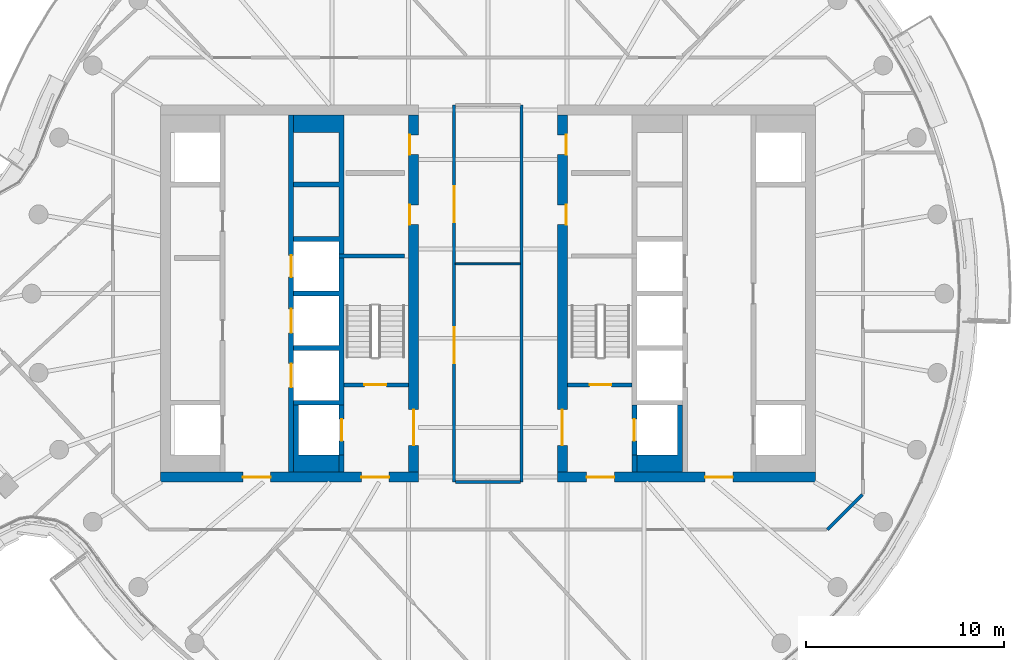
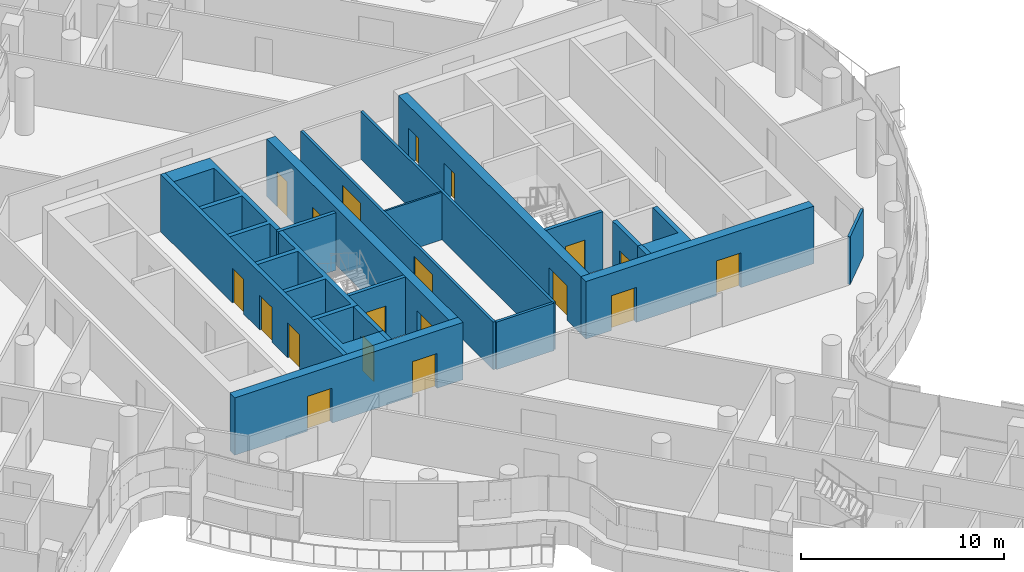
# One storey, part 23 of 34: 20 walls, 19 doors, 19 openings.
"""IFC4 building model written with IfcOpenShell, lengths in metres."""

from ifc_helpers import new_model, si_unit, direction, frame, frame_2d, origin, place, context, subcontext, project, spatial, polyline, rectangle, outline, extrude, material, layer, layer_set, type_object, element, fill, save


model = new_model("IFC4")

# Units and contexts
model_context = context("Model", 3, precision=1e-05, world=origin(), true_north=direction((0.0, 1.0)))
body_context = subcontext(model_context, "Body", "Model", "MODEL_VIEW")
ifc_project = project(units=[si_unit("LENGTHUNIT", "METRE"), si_unit("AREAUNIT", "SQUARE_METRE"), si_unit("VOLUMEUNIT", "CUBIC_METRE"), si_unit("PLANEANGLEUNIT", "RADIAN"), si_unit("MASSUNIT", "GRAM", prefix="KILO")], contexts=[model_context])

# Site, building, storey
site_placement = place(None, origin())
site = spatial("IfcSite", under=ifc_project, at=site_placement, CompositionType="ELEMENT")
building_placement = place(site_placement, origin())
building = spatial("IfcBuilding", under=site, at=building_placement, Name="Tamarind Cross Interchange Tower", CompositionType="ELEMENT")
storey_placement = place(building_placement, frame((0.0, 0.0, 189.699951171875)))
storey = spatial("IfcBuildingStorey", under=building, at=storey_placement, Name="L47", CompositionType="ELEMENT", Elevation=189.699951171875)

# Wall, openings, doors
ifc_material_1 = material(Name="Concrete C55", Category="concrete")
ifc_layer_1 = layer(ifc_material_1, 0.5)
ifc_layer_set_1 = layer_set([ifc_layer_1], Name="Concrete C55")
wall_type_1 = type_object("IfcWallType", Name="Core wall 500 mm Concrete C55", PredefinedType="SHEAR", material=ifc_layer_set_1)
wall_1_placement = place(storey_placement, frame((-16.5, -9.25, 0.0), z_axis=(0.0, 0.0, 1.0), x_axis=(1.0, 0.0, 0.0)))
wall_1 = element("IfcWall", 1, at=wall_1_placement, inside=storey, type_object=wall_type_1, Name="Core wall CWL-L47-W-S", PredefinedType="SHEAR", context=body_context, shape_type="SweptSolid", body=[
    extrude(rectangle(XDim=13.0, YDim=0.5, at=frame_2d((6.5, 0.0))), origin(), (0.0, 0.0, 1.0), 3.4599609375),
])
opening_1_placement = place(wall_1_placement, frame((4.14990234375, 0.0, 0.0)))
opening_1 = element("IfcOpeningElement", 2, at=opening_1_placement, cuts=wall_1, Name="Opening DCW1", PredefinedType="OPENING", context=body_context, shape_type="SweptSolid", body=[
    extrude(rectangle(XDim=1.39990234375, YDim=2.10009765625, at=frame_2d((0.699951171875, 1.050048828125))), frame((0.0, 0.260009765625, 0.0), z_axis=(0.0, -1.0, 0.0), x_axis=(1.0, 0.0, 0.0)), (0.0, 0.0, 1.0), 0.52001953125),
])
opening_2_placement = place(wall_1_placement, frame((10.125, 0.0, 0.0)))
opening_2 = element("IfcOpeningElement", 3, at=opening_2_placement, cuts=wall_1, Name="Opening DCWF", PredefinedType="OPENING", context=body_context, shape_type="SweptSolid", body=[
    extrude(rectangle(XDim=1.39990234375, YDim=2.10009765625, at=frame_2d((0.699951171875, 1.050048828125))), frame((0.0, 0.260009765625, 0.0), z_axis=(0.0, -1.0, 0.0), x_axis=(1.0, 0.0, 0.0)), (0.0, 0.0, 1.0), 0.52001953125),
])
ifc_material_2 = material(Name="Steel, fire-resisting", Category="steel")
door_type_1 = type_object("IfcDoorType", Name="Core fire door 1400 x 2100 FD90", OperationType="SINGLE_SWING_LEFT", PredefinedType="DOOR", material=ifc_material_2)
door_1_placement = place(opening_1_placement, origin())
door_1 = element("IfcDoor", 4, at=door_1_placement, inside=storey, type_object=door_type_1, Name="L47 lift lobby door", OperationType="SINGLE_SWING_LEFT", OverallHeight=2.10009765625, OverallWidth=1.39990234375, PredefinedType="DOOR", context=body_context, shape_type="SweptSolid", body=[
    extrude(rectangle(XDim=1.39990234375, YDim=2.10009765625, at=frame_2d((0.699951171875, 1.050048828125))), frame((0.0, 0.02490234375, 0.0), z_axis=(0.0, -1.0, 0.0), x_axis=(1.0, 0.0, 0.0)), (0.0, 0.0, 1.0), 0.050048828125),
])
fill(opening_1, door_1)
door_2_placement = place(opening_2_placement, origin())
door_2 = element("IfcDoor", 5, at=door_2_placement, inside=storey, type_object=door_type_1, Name="L47 firefighting lobby end door", OperationType="SINGLE_SWING_LEFT", OverallHeight=2.10009765625, OverallWidth=1.39990234375, PredefinedType="DOOR", context=body_context, shape_type="SweptSolid", body=[
    extrude(rectangle(XDim=1.39990234375, YDim=2.10009765625, at=frame_2d((0.699951171875, 1.050048828125))), frame((0.0, 0.02490234375, 0.0), z_axis=(0.0, -1.0, 0.0), x_axis=(1.0, 0.0, 0.0)), (0.0, 0.0, 1.0), 0.050048828125),
])
fill(opening_2, door_2)

wall_2_placement = place(storey_placement, frame((-3.75, -9.0, 0.0), z_axis=(0.0, 0.0, 1.0), x_axis=(0.0, 1.0, 0.0)))
wall_2 = element("IfcWall", 6, at=wall_2_placement, inside=storey, type_object=wall_type_1, Name="Core wall CWL-L47-W-IN", PredefinedType="SHEAR", context=body_context, shape_type="SweptSolid", body=[
    extrude(rectangle(XDim=18.0, YDim=0.5, at=frame_2d((9.0, 0.0))), origin(), (0.0, 0.0, 1.0), 3.4599609375),
])
opening_3_placement = place(wall_2_placement, frame((1.35009765625, 0.0, 0.0)))
opening_3 = element("IfcOpeningElement", 7, at=opening_3_placement, cuts=wall_2, Name="Opening DCW4", PredefinedType="OPENING", context=body_context, shape_type="SweptSolid", body=[
    extrude(rectangle(XDim=1.800048828125, YDim=2.10009765625, at=frame_2d((0.89990234375, 1.050048828125))), frame((0.0, 0.260009765625, 0.0), z_axis=(0.0, -1.0, 0.0), x_axis=(1.0, 0.0, 0.0)), (0.0, 0.0, 1.0), 0.52001953125),
])
opening_4_placement = place(wall_2_placement, frame((12.4775390625, 0.0, 0.0)))
opening_4 = element("IfcOpeningElement", 8, at=opening_4_placement, cuts=wall_2, Name="Opening DCW5", PredefinedType="OPENING", context=body_context, shape_type="SweptSolid", body=[
    extrude(rectangle(XDim=1.0, YDim=2.10009765625, at=frame_2d((0.5, 1.050048828125))), frame((0.0, 0.260009765625, 0.0), z_axis=(0.0, -1.0, 0.0), x_axis=(1.0, 0.0, 0.0)), (0.0, 0.0, 1.0), 0.52001953125),
])
opening_5_placement = place(wall_2_placement, frame((16.00244140625, 0.0, 0.0)))
opening_5 = element("IfcOpeningElement", 9, at=opening_5_placement, cuts=wall_2, Name="Opening DCW5", PredefinedType="OPENING", context=body_context, shape_type="SweptSolid", body=[
    extrude(rectangle(XDim=1.0, YDim=2.10009765625, at=frame_2d((0.5, 1.050048828125))), frame((0.0, 0.260009765625, 0.0), z_axis=(0.0, -1.0, 0.0), x_axis=(1.0, 0.0, 0.0)), (0.0, 0.0, 1.0), 0.52001953125),
])
door_type_2 = type_object("IfcDoorType", Name="Core fire door 1000 x 2100 FD90", OperationType="SINGLE_SWING_LEFT", PredefinedType="DOOR", material=ifc_material_2)
door_3_placement = place(opening_4_placement, origin())
door_3 = element("IfcDoor", 10, at=door_3_placement, inside=storey, type_object=door_type_2, Name="L47 housekeeping pantry door", OperationType="SINGLE_SWING_LEFT", OverallHeight=2.10009765625, OverallWidth=1.0, PredefinedType="DOOR", context=body_context, shape_type="SweptSolid", body=[
    extrude(rectangle(XDim=1.0, YDim=2.10009765625, at=frame_2d((0.5, 1.050048828125))), frame((0.0, 0.22509765625, 0.0), z_axis=(0.0, -1.0, 0.0), x_axis=(1.0, 0.0, 0.0)), (0.0, 0.0, 1.0), 0.050048828125),
])
fill(opening_4, door_3)
door_4_placement = place(opening_5_placement, origin())
door_4 = element("IfcDoor", 11, at=door_4_placement, inside=storey, type_object=door_type_2, Name="L47 linen press door", OperationType="SINGLE_SWING_LEFT", OverallHeight=2.10009765625, OverallWidth=1.0, PredefinedType="DOOR", context=body_context, shape_type="SweptSolid", body=[
    extrude(rectangle(XDim=1.0, YDim=2.10009765625, at=frame_2d((0.5, 1.050048828125))), frame((0.0, 0.22509765625, 0.0), z_axis=(0.0, -1.0, 0.0), x_axis=(1.0, 0.0, 0.0)), (0.0, 0.0, 1.0), 0.050048828125),
])
fill(opening_5, door_4)
door_type_3 = type_object("IfcDoorType", Name="Core fire door 1800 x 2100 FD90", OperationType="SINGLE_SWING_LEFT", PredefinedType="DOOR", material=ifc_material_2)
door_5_placement = place(opening_3_placement, origin())
door_5 = element("IfcDoor", 12, at=door_5_placement, inside=storey, type_object=door_type_3, Name="L47 firefighting lobby door", OperationType="SINGLE_SWING_LEFT", OverallHeight=2.10009765625, OverallWidth=1.800048828125, PredefinedType="DOOR", context=body_context, shape_type="SweptSolid", body=[
    extrude(rectangle(XDim=1.800048828125, YDim=2.10009765625, at=frame_2d((0.89990234375, 1.050048828125))), frame((0.0, 0.02490234375, 0.0), z_axis=(0.0, -1.0, 0.0), x_axis=(1.0, 0.0, 0.0)), (0.0, 0.0, 1.0), 0.050048828125),
])
fill(opening_3, door_5)

wall_3_placement = place(storey_placement, frame((16.5, -9.25, 0.0), z_axis=(0.0, 0.0, 1.0), x_axis=(-1.0, 0.0, 0.0)))
wall_3 = element("IfcWall", 13, at=wall_3_placement, inside=storey, type_object=wall_type_1, Name="Core wall CWL-L47-E-S", PredefinedType="SHEAR", context=body_context, shape_type="SweptSolid", body=[
    extrude(rectangle(XDim=13.0, YDim=0.5, at=frame_2d((6.5, 0.0))), origin(), (0.0, 0.0, 1.0), 3.4599609375),
])
opening_6_placement = place(wall_3_placement, frame((4.14990234375, 0.0, 0.0)))
opening_6 = element("IfcOpeningElement", 14, at=opening_6_placement, cuts=wall_3, Name="Opening DCE1", PredefinedType="OPENING", context=body_context, shape_type="SweptSolid", body=[
    extrude(rectangle(XDim=1.39990234375, YDim=2.10009765625, at=frame_2d((0.699951171875, 1.050048828125))), frame((0.0, 0.260009765625, 0.0), z_axis=(0.0, -1.0, 0.0), x_axis=(1.0, 0.0, 0.0)), (0.0, 0.0, 1.0), 0.52001953125),
])
opening_7_placement = place(wall_3_placement, frame((10.125, 0.0, 0.0)))
opening_7 = element("IfcOpeningElement", 15, at=opening_7_placement, cuts=wall_3, Name="Opening DCEF", PredefinedType="OPENING", context=body_context, shape_type="SweptSolid", body=[
    extrude(rectangle(XDim=1.39990234375, YDim=2.10009765625, at=frame_2d((0.699951171875, 1.050048828125))), frame((0.0, 0.260009765625, 0.0), z_axis=(0.0, -1.0, 0.0), x_axis=(1.0, 0.0, 0.0)), (0.0, 0.0, 1.0), 0.52001953125),
])
door_6_placement = place(opening_6_placement, origin())
door_6 = element("IfcDoor", 16, at=door_6_placement, inside=storey, type_object=door_type_1, Name="L47 lift lobby door", OperationType="SINGLE_SWING_LEFT", OverallHeight=2.10009765625, OverallWidth=1.39990234375, PredefinedType="DOOR", context=body_context, shape_type="SweptSolid", body=[
    extrude(rectangle(XDim=1.39990234375, YDim=2.10009765625, at=frame_2d((0.699951171875, 1.050048828125))), frame((0.0, 0.02490234375, 0.0), z_axis=(0.0, -1.0, 0.0), x_axis=(1.0, 0.0, 0.0)), (0.0, 0.0, 1.0), 0.050048828125),
])
fill(opening_6, door_6)
door_7_placement = place(opening_7_placement, origin())
door_7 = element("IfcDoor", 17, at=door_7_placement, inside=storey, type_object=door_type_1, Name="L47 firefighting lobby end door", OperationType="SINGLE_SWING_LEFT", OverallHeight=2.10009765625, OverallWidth=1.39990234375, PredefinedType="DOOR", context=body_context, shape_type="SweptSolid", body=[
    extrude(rectangle(XDim=1.39990234375, YDim=2.10009765625, at=frame_2d((0.699951171875, 1.050048828125))), frame((0.0, 0.02490234375, 0.0), z_axis=(0.0, -1.0, 0.0), x_axis=(1.0, 0.0, 0.0)), (0.0, 0.0, 1.0), 0.050048828125),
])
fill(opening_7, door_7)

wall_4_placement = place(storey_placement, frame((3.75, -9.0, 0.0), z_axis=(0.0, 0.0, 1.0), x_axis=(0.0, 1.0, 0.0)))
wall_4 = element("IfcWall", 18, at=wall_4_placement, inside=storey, type_object=wall_type_1, Name="Core wall CWL-L47-E-IN", PredefinedType="SHEAR", context=body_context, shape_type="SweptSolid", body=[
    extrude(rectangle(XDim=18.0, YDim=0.5, at=frame_2d((9.0, 0.0))), origin(), (0.0, 0.0, 1.0), 3.4599609375),
])
opening_8_placement = place(wall_4_placement, frame((1.35009765625, 0.0, 0.0)))
opening_8 = element("IfcOpeningElement", 19, at=opening_8_placement, cuts=wall_4, Name="Opening DCE4", PredefinedType="OPENING", context=body_context, shape_type="SweptSolid", body=[
    extrude(rectangle(XDim=1.800048828125, YDim=2.10009765625, at=frame_2d((0.89990234375, 1.050048828125))), frame((0.0, 0.260009765625, 0.0), z_axis=(0.0, -1.0, 0.0), x_axis=(1.0, 0.0, 0.0)), (0.0, 0.0, 1.0), 0.52001953125),
])
opening_9_placement = place(wall_4_placement, frame((12.4775390625, 0.0, 0.0)))
opening_9 = element("IfcOpeningElement", 20, at=opening_9_placement, cuts=wall_4, Name="Opening DCE5", PredefinedType="OPENING", context=body_context, shape_type="SweptSolid", body=[
    extrude(rectangle(XDim=1.0, YDim=2.10009765625, at=frame_2d((0.5, 1.050048828125))), frame((0.0, 0.260009765625, 0.0), z_axis=(0.0, -1.0, 0.0), x_axis=(1.0, 0.0, 0.0)), (0.0, 0.0, 1.0), 0.52001953125),
])
opening_10_placement = place(wall_4_placement, frame((16.00244140625, 0.0, 0.0)))
opening_10 = element("IfcOpeningElement", 21, at=opening_10_placement, cuts=wall_4, Name="Opening DCE5", PredefinedType="OPENING", context=body_context, shape_type="SweptSolid", body=[
    extrude(rectangle(XDim=1.0, YDim=2.10009765625, at=frame_2d((0.5, 1.050048828125))), frame((0.0, 0.260009765625, 0.0), z_axis=(0.0, -1.0, 0.0), x_axis=(1.0, 0.0, 0.0)), (0.0, 0.0, 1.0), 0.52001953125),
])
door_8_placement = place(opening_9_placement, origin())
door_8 = element("IfcDoor", 22, at=door_8_placement, inside=storey, type_object=door_type_2, Name="L47 housekeeping pantry door", OperationType="SINGLE_SWING_LEFT", OverallHeight=2.10009765625, OverallWidth=1.0, PredefinedType="DOOR", context=body_context, shape_type="SweptSolid", body=[
    extrude(rectangle(XDim=1.0, YDim=2.10009765625, at=frame_2d((0.5, 1.050048828125))), frame((0.0, -0.1748046875, 0.0), z_axis=(0.0, -1.0, 0.0), x_axis=(1.0, 0.0, 0.0)), (0.0, 0.0, 1.0), 0.050048828125),
])
fill(opening_9, door_8)
door_9_placement = place(opening_10_placement, origin())
door_9 = element("IfcDoor", 23, at=door_9_placement, inside=storey, type_object=door_type_2, Name="L47 linen press door", OperationType="SINGLE_SWING_LEFT", OverallHeight=2.10009765625, OverallWidth=1.0, PredefinedType="DOOR", context=body_context, shape_type="SweptSolid", body=[
    extrude(rectangle(XDim=1.0, YDim=2.10009765625, at=frame_2d((0.5, 1.050048828125))), frame((0.0, -0.1748046875, 0.0), z_axis=(0.0, -1.0, 0.0), x_axis=(1.0, 0.0, 0.0)), (0.0, 0.0, 1.0), 0.050048828125),
])
fill(opening_10, door_9)
door_10_placement = place(opening_8_placement, origin())
door_10 = element("IfcDoor", 24, at=door_10_placement, inside=storey, type_object=door_type_3, Name="L47 firefighting lobby door", OperationType="SINGLE_SWING_LEFT", OverallHeight=2.10009765625, OverallWidth=1.800048828125, PredefinedType="DOOR", context=body_context, shape_type="SweptSolid", body=[
    extrude(rectangle(XDim=1.800048828125, YDim=2.10009765625, at=frame_2d((0.89990234375, 1.050048828125))), frame((0.0, 0.02490234375, 0.0), z_axis=(0.0, -1.0, 0.0), x_axis=(1.0, 0.0, 0.0)), (0.0, 0.0, 1.0), 0.050048828125),
])
fill(opening_8, door_10)

# Walls
ifc_layer_2 = layer(ifc_material_1, 0.199951171875)
ifc_layer_set_2 = layer_set([ifc_layer_2], Name="Concrete C55")
wall_type_2 = type_object("IfcWallType", Name="Core web wall 200 mm Concrete C55", PredefinedType="SHEAR", material=ifc_layer_set_2)
wall_5_placement = place(storey_placement, frame((-7.5, 1.89990234375, 0.0), z_axis=(0.0, 0.0, 1.0), x_axis=(1.0, 0.0, 0.0)))
element("IfcWall", 25, at=wall_5_placement, inside=storey, type_object=wall_type_2, Name="Core wall CWL-L47-W-BD", PredefinedType="SHEAR", context=body_context, shape_type="SweptSolid", body=[
    extrude(rectangle(XDim=3.300048828125, YDim=0.199951171875, at=frame_2d((1.64990234375, 0.0))), origin(), (0.0, 0.0, 1.0), 3.4599609375),
])
ifc_layer_3 = layer(ifc_material_1, 0.25)
ifc_layer_set_3 = layer_set([ifc_layer_3], Name="Concrete C55")
wall_type_3 = type_object("IfcWallType", Name="Core web wall 250 mm Concrete C55", PredefinedType="SHEAR", material=ifc_layer_set_3)
wall_6_placement = place(storey_placement, origin())
element("IfcWall", 26, at=wall_6_placement, inside=storey, type_object=wall_type_3, Name="Core wall CWL-L47-W-BN", PredefinedType="SHEAR", context=body_context, shape_type="SweptSolid", body=[
    extrude(outline(polyline([(-9.800048828125, -5.375), (-9.800048828125, -5.625), (-7.5, -5.625), (-7.25, -5.625), (-7.25, 9.0), (-7.5, 9.0), (-9.800048828125, 9.0), (-9.800048828125, 8.125), (-7.5, 8.125), (-7.5, 5.625), (-9.800048828125, 5.625), (-9.800048828125, 5.375), (-7.5, 5.375), (-7.5, 2.875), (-9.800048828125, 2.875), (-9.800048828125, 2.625), (-7.5, 2.625), (-7.5, 0.125), (-9.800048828125, 0.125), (-9.800048828125, -0.125), (-7.5, -0.125), (-7.5, -2.625), (-9.800048828125, -2.625), (-9.800048828125, -2.875), (-7.5, -2.875), (-7.5, -5.375), (-9.800048828125, -5.375)])), origin(), (0.0, 0.0, 1.0), 3.4599609375),
])
wall_7_placement = place(storey_placement, origin())
element("IfcWall", 27, at=wall_7_placement, inside=storey, type_object=wall_type_3, Name="Core wall CWL-L47-W-BS", PredefinedType="SHEAR", context=body_context, shape_type="SweptSolid", body=[
    extrude(outline(polyline([(-7.5, -8.125), (-9.550048828125, -8.125), (-9.550048828125, -5.625), (-9.800048828125, -5.625), (-9.800048828125, -8.125), (-9.800048828125, -9.0), (-7.5, -9.0), (-7.5, -8.125)])), origin(), (0.0, 0.0, 1.0), 3.4599609375),
])
wall_8_placement = place(storey_placement, frame((-7.375, -9.0, 0.0), z_axis=(0.0, 0.0, 1.0), x_axis=(0.0, 1.0, 0.0)))
element("IfcWall", 28, at=wall_8_placement, inside=storey, type_object=wall_type_3, Name="Core wall CWL-L47-W-BW", PredefinedType="SHEAR", context=body_context, shape_type="SweptSolid", body=[
    extrude(rectangle(XDim=0.875, YDim=0.25, at=frame_2d((0.4375, 0.0))), origin(), (0.0, 0.0, 1.0), 3.4599609375),
])

# Wall, openings, doors
wall_9_placement = place(storey_placement, frame((-9.925048828125, -9.0, 0.0), z_axis=(0.0, 0.0, 1.0), x_axis=(0.0, 1.0, 0.0)))
wall_9 = element("IfcWall", 29, at=wall_9_placement, inside=storey, type_object=wall_type_3, Name="Core wall CWL-L47-W-LB", PredefinedType="SHEAR", context=body_context, shape_type="SweptSolid", body=[
    extrude(rectangle(XDim=18.0, YDim=0.25, at=frame_2d((9.0, 0.0))), origin(), (0.0, 0.0, 1.0), 3.4599609375),
])
opening_11_placement = place(wall_9_placement, frame((4.27490234375, 0.0, 0.0)))
opening_11 = element("IfcOpeningElement", 30, at=opening_11_placement, cuts=wall_9, Name="Opening LD8L47", PredefinedType="OPENING", context=body_context, shape_type="SweptSolid", body=[
    extrude(rectangle(XDim=1.199951171875, YDim=2.10009765625, at=frame_2d((0.60009765625, 1.050048828125))), frame((0.0, 0.135009765625, 0.0), z_axis=(0.0, -1.0, 0.0), x_axis=(1.0, 0.0, 0.0)), (0.0, 0.0, 1.0), 0.27001953125),
])
opening_12_placement = place(wall_9_placement, frame((7.02490234375, 0.0, 0.0)))
opening_12 = element("IfcOpeningElement", 31, at=opening_12_placement, cuts=wall_9, Name="Opening LD9L47", PredefinedType="OPENING", context=body_context, shape_type="SweptSolid", body=[
    extrude(rectangle(XDim=1.199951171875, YDim=2.10009765625, at=frame_2d((0.60009765625, 1.050048828125))), frame((0.0, 0.135009765625, 0.0), z_axis=(0.0, -1.0, 0.0), x_axis=(1.0, 0.0, 0.0)), (0.0, 0.0, 1.0), 0.27001953125),
])
opening_13_placement = place(wall_9_placement, frame((9.824951171875, 0.0, 0.0)))
opening_13 = element("IfcOpeningElement", 32, at=opening_13_placement, cuts=wall_9, Name="Opening LD10L47", PredefinedType="OPENING", context=body_context, shape_type="SweptSolid", body=[
    extrude(rectangle(XDim=1.10009765625, YDim=2.10009765625, at=frame_2d((0.550048828125, 1.050048828125))), frame((0.0, 0.135009765625, 0.0), z_axis=(0.0, -1.0, 0.0), x_axis=(1.0, 0.0, 0.0)), (0.0, 0.0, 1.0), 0.27001953125),
])
ifc_material_3 = material(Name="Stainless steel panel", Category="steel")
door_type_4 = type_object("IfcDoorType", Name="Lift landing door 1100 x 2100 E 120", OperationType="SLIDING_TO_LEFT", PredefinedType="DOOR", material=ifc_material_3)
door_11_placement = place(opening_13_placement, origin())
door_11 = element("IfcDoor", 33, at=door_11_placement, inside=storey, type_object=door_type_4, Name="L47 landing door LF10", OperationType="SLIDING_TO_LEFT", OverallHeight=2.10009765625, OverallWidth=1.10009765625, PredefinedType="DOOR", context=body_context, shape_type="SweptSolid", body=[
    extrude(rectangle(XDim=1.10009765625, YDim=2.10009765625, at=frame_2d((0.550048828125, 1.050048828125))), frame((0.0, 0.02490234375, 0.0), z_axis=(0.0, -1.0, 0.0), x_axis=(1.0, 0.0, 0.0)), (0.0, 0.0, 1.0), 0.050048828125),
])
fill(opening_13, door_11)
door_type_5 = type_object("IfcDoorType", Name="Lift landing door 1200 x 2100 E 120", OperationType="SLIDING_TO_LEFT", PredefinedType="DOOR", material=ifc_material_3)
door_12_placement = place(opening_11_placement, origin())
door_12 = element("IfcDoor", 34, at=door_12_placement, inside=storey, type_object=door_type_5, Name="L47 landing door LF8", OperationType="SLIDING_TO_LEFT", OverallHeight=2.10009765625, OverallWidth=1.199951171875, PredefinedType="DOOR", context=body_context, shape_type="SweptSolid", body=[
    extrude(rectangle(XDim=1.199951171875, YDim=2.10009765625, at=frame_2d((0.60009765625, 1.050048828125))), frame((0.0, 0.02490234375, 0.0), z_axis=(0.0, -1.0, 0.0), x_axis=(1.0, 0.0, 0.0)), (0.0, 0.0, 1.0), 0.050048828125),
])
fill(opening_11, door_12)
door_13_placement = place(opening_12_placement, origin())
door_13 = element("IfcDoor", 35, at=door_13_placement, inside=storey, type_object=door_type_5, Name="L47 landing door LF9", OperationType="SLIDING_TO_LEFT", OverallHeight=2.10009765625, OverallWidth=1.199951171875, PredefinedType="DOOR", context=body_context, shape_type="SweptSolid", body=[
    extrude(rectangle(XDim=1.199951171875, YDim=2.10009765625, at=frame_2d((0.60009765625, 1.050048828125))), frame((0.0, 0.02490234375, 0.0), z_axis=(0.0, -1.0, 0.0), x_axis=(1.0, 0.0, 0.0)), (0.0, 0.0, 1.0), 0.050048828125),
])
fill(opening_12, door_13)

# Wall, opening, door
wall_10_placement = place(storey_placement, frame((-7.375, -8.125, 0.0), z_axis=(0.0, 0.0, 1.0), x_axis=(0.0, 1.0, 0.0)))
wall_10 = element("IfcWall", 36, at=wall_10_placement, inside=storey, type_object=wall_type_3, Name="Core wall CWL-L47-W-FF", PredefinedType="SHEAR", context=body_context, shape_type="SweptSolid", body=[
    extrude(rectangle(XDim=2.5, YDim=0.25, at=frame_2d((1.25, 0.0))), origin(), (0.0, 0.0, 1.0), 3.4599609375),
])
opening_14_placement = place(wall_10_placement, frame((0.699951171875, 0.0, 0.0)))
opening_14 = element("IfcOpeningElement", 37, at=opening_14_placement, cuts=wall_10, Name="Opening LD7L47", PredefinedType="OPENING", context=body_context, shape_type="SweptSolid", body=[
    extrude(rectangle(XDim=1.10009765625, YDim=2.10009765625, at=frame_2d((0.550048828125, 1.050048828125))), frame((0.0, 0.135009765625, 0.0), z_axis=(0.0, -1.0, 0.0), x_axis=(1.0, 0.0, 0.0)), (0.0, 0.0, 1.0), 0.27001953125),
])
door_14_placement = place(opening_14_placement, origin())
door_14 = element("IfcDoor", 38, at=door_14_placement, inside=storey, type_object=door_type_4, Name="L47 landing door LF7", OperationType="SLIDING_TO_LEFT", OverallHeight=2.10009765625, OverallWidth=1.10009765625, PredefinedType="DOOR", context=body_context, shape_type="SweptSolid", body=[
    extrude(rectangle(XDim=1.10009765625, YDim=2.10009765625, at=frame_2d((0.550048828125, 1.050048828125))), frame((0.0, 0.02490234375, 0.0), z_axis=(0.0, -1.0, 0.0), x_axis=(1.0, 0.0, 0.0)), (0.0, 0.0, 1.0), 0.050048828125),
])
fill(opening_14, door_14)

# Walls
wall_11_placement = place(storey_placement, origin())
element("IfcWall", 39, at=wall_11_placement, inside=storey, type_object=wall_type_3, Name="Core wall CWL-L47-E-BS", PredefinedType="SHEAR", context=body_context, shape_type="SweptSolid", body=[
    extrude(outline(polyline([(7.5, -8.125), (7.5, -9.0), (9.800048828125, -9.0), (9.800048828125, -8.125), (9.800048828125, -5.625), (9.550048828125, -5.625), (9.550048828125, -8.125), (7.5, -8.125)])), origin(), (0.0, 0.0, 1.0), 3.4599609375),
])
wall_12_placement = place(storey_placement, frame((7.375, -9.0, 0.0), z_axis=(0.0, 0.0, 1.0), x_axis=(0.0, 1.0, 0.0)))
element("IfcWall", 40, at=wall_12_placement, inside=storey, type_object=wall_type_3, Name="Core wall CWL-L47-E-BW", PredefinedType="SHEAR", context=body_context, shape_type="SweptSolid", body=[
    extrude(rectangle(XDim=0.875, YDim=0.25, at=frame_2d((0.4375, 0.0))), origin(), (0.0, 0.0, 1.0), 3.4599609375),
])

# Wall, opening, door
wall_13_placement = place(storey_placement, frame((7.375, -8.125, 0.0), z_axis=(0.0, 0.0, 1.0), x_axis=(0.0, 1.0, 0.0)))
wall_13 = element("IfcWall", 41, at=wall_13_placement, inside=storey, type_object=wall_type_3, Name="Core wall CWL-L47-E-FF", PredefinedType="SHEAR", context=body_context, shape_type="SweptSolid", body=[
    extrude(rectangle(XDim=2.5, YDim=0.25, at=frame_2d((1.25, 0.0))), origin(), (0.0, 0.0, 1.0), 3.4599609375),
])
opening_15_placement = place(wall_13_placement, frame((0.699951171875, 0.0, 0.0)))
opening_15 = element("IfcOpeningElement", 42, at=opening_15_placement, cuts=wall_13, Name="Opening LD19L47", PredefinedType="OPENING", context=body_context, shape_type="SweptSolid", body=[
    extrude(rectangle(XDim=1.10009765625, YDim=2.10009765625, at=frame_2d((0.550048828125, 1.050048828125))), frame((0.0, 0.135009765625, 0.0), z_axis=(0.0, -1.0, 0.0), x_axis=(1.0, 0.0, 0.0)), (0.0, 0.0, 1.0), 0.27001953125),
])
door_15_placement = place(opening_15_placement, origin())
door_15 = element("IfcDoor", 43, at=door_15_placement, inside=storey, type_object=door_type_4, Name="L47 landing door LF19", OperationType="SLIDING_TO_LEFT", OverallHeight=2.10009765625, OverallWidth=1.10009765625, PredefinedType="DOOR", context=body_context, shape_type="SweptSolid", body=[
    extrude(rectangle(XDim=1.10009765625, YDim=2.10009765625, at=frame_2d((0.550048828125, 1.050048828125))), frame((0.0, 0.02490234375, 0.0), z_axis=(0.0, -1.0, 0.0), x_axis=(1.0, 0.0, 0.0)), (0.0, 0.0, 1.0), 0.050048828125),
])
fill(opening_15, door_15)

# Walls
ifc_material_4 = material(Name="Gypsum board partition on steel studs", Category="steel")
ifc_layer_4 = layer(ifc_material_4, 0.10009765625)
ifc_layer_set_4 = layer_set([ifc_layer_4], Name="Gypsum board partition on steel studs")
wall_type_4 = type_object("IfcWallType", Name="Partition 100 mm EI 120", PredefinedType="PARTITIONING", material=ifc_layer_set_4)
wall_14_placement = place(storey_placement, frame((-1.639892578125, 1.5, 0.0), z_axis=(0.0, 0.0, 1.0), x_axis=(1.0, 0.0, 0.0)))
element("IfcWall", 44, at=wall_14_placement, inside=storey, type_object=wall_type_4, Name="Partition L47-039", PredefinedType="PARTITIONING", context=body_context, shape_type="SweptSolid", body=[
    extrude(rectangle(XDim=3.27978515625, YDim=0.10009765625, at=frame_2d((1.639892578125, 0.0))), origin(), (0.0, 0.0, 1.0), 2.864013671875),
])
ifc_layer_5 = layer(ifc_material_4, 0.14990234375)
ifc_layer_set_5 = layer_set([ifc_layer_5], Name="Gypsum board partition on steel studs")
wall_type_5 = type_object("IfcWallType", Name="Partition 150 mm EI 120", PredefinedType="PARTITIONING", material=ifc_layer_set_5)
wall_15_placement = place(storey_placement, frame((-1.639892578125, -9.5, 0.0), z_axis=(0.0, 0.0, 1.0), x_axis=(1.0, 0.0, 0.0)))
element("IfcWall", 45, at=wall_15_placement, inside=storey, type_object=wall_type_5, Name="Partition L47-038", PredefinedType="PARTITIONING", context=body_context, shape_type="SweptSolid", body=[
    extrude(rectangle(XDim=3.27978515625, YDim=0.14990234375, at=frame_2d((1.639892578125, 0.0))), origin(), (0.0, 0.0, 1.0), 2.864013671875),
])
wall_16_placement = place(storey_placement, frame((17.10009765625, -11.89990234375, 0.0), z_axis=(0.0, 0.0, 1.0), x_axis=(0.707106781187, 0.707106781187, 0.0)))
element("IfcWall", 46, at=wall_16_placement, inside=storey, type_object=wall_type_5, Name="Partition L47-089", PredefinedType="PARTITIONING", context=body_context, shape_type="SweptSolid", body=[
    extrude(rectangle(XDim=2.50537109375, YDim=0.14990234375, at=frame_2d((1.252685546875, 0.0))), origin(), (0.0, 0.0, 1.0), 2.864013671875),
])

# Wall, openings, doors
wall_17_placement = place(storey_placement, frame((-1.699951171875, -9.5, 0.0), z_axis=(0.0, 0.0, 1.0), x_axis=(0.0, 1.0, 0.0)))
wall_17 = element("IfcWall", 47, at=wall_17_placement, inside=storey, type_object=wall_type_5, Name="Partition L47-091", PredefinedType="PARTITIONING", context=body_context, shape_type="SweptSolid", body=[
    extrude(rectangle(XDim=19.0, YDim=0.14990234375, at=frame_2d((9.5, 0.0))), origin(), (0.0, 0.0, 1.0), 2.864013671875),
])
opening_16_placement = place(wall_17_placement, frame((6.0, 0.0, 0.0)))
opening_16 = element("IfcOpeningElement", 48, at=opening_16_placement, cuts=wall_17, Name="Opening D49", PredefinedType="OPENING", context=body_context, shape_type="SweptSolid", body=[
    extrude(rectangle(XDim=1.800048828125, YDim=2.10009765625, at=frame_2d((0.89990234375, 1.050048828125))), frame((0.0, 0.0849609375, 0.0), z_axis=(0.0, -1.0, 0.0), x_axis=(1.0, 0.0, 0.0)), (0.0, 0.0, 1.0), 0.169921875),
])
opening_17_placement = place(wall_17_placement, frame((13.10009765625, 0.0, 0.0)))
opening_17 = element("IfcOpeningElement", 49, at=opening_17_placement, cuts=wall_17, Name="Opening D50", PredefinedType="OPENING", context=body_context, shape_type="SweptSolid", body=[
    extrude(rectangle(XDim=1.800048828125, YDim=2.10009765625, at=frame_2d((0.89990234375, 1.050048828125))), frame((0.0, 0.0849609375, 0.0), z_axis=(0.0, -1.0, 0.0), x_axis=(1.0, 0.0, 0.0)), (0.0, 0.0, 1.0), 0.169921875),
])
ifc_material_5 = material(Name="Fire-resisting door set")
door_type_6 = type_object("IfcDoorType", Name="Interior door 1800 x 2100 FD60S", OperationType="DOUBLE_DOOR_SINGLE_SWING", PredefinedType="DOOR", material=ifc_material_5)
door_16_placement = place(opening_16_placement, frame((1.800048828125, 0.0, 0.0), z_axis=(0.0, 0.0, 1.0), x_axis=(-1.0, 0.0, 0.0)))
door_16 = element("IfcDoor", 50, at=door_16_placement, inside=storey, type_object=door_type_6, Name="Door D49", OperationType="DOUBLE_DOOR_SINGLE_SWING", OverallHeight=2.10009765625, OverallWidth=1.800048828125, PredefinedType="DOOR", context=body_context, shape_type="SweptSolid", body=[
    extrude(rectangle(XDim=1.800048828125, YDim=2.10009765625, at=frame_2d((0.89990234375, 1.050048828125))), frame((0.0, 0.02490234375, 0.0), z_axis=(0.0, -1.0, 0.0), x_axis=(1.0, 0.0, 0.0)), (0.0, 0.0, 1.0), 0.050048828125),
])
fill(opening_16, door_16)
door_17_placement = place(opening_17_placement, frame((1.800048828125, 0.0, 0.0), z_axis=(0.0, 0.0, 1.0), x_axis=(-1.0, 0.0, 0.0)))
door_17 = element("IfcDoor", 51, at=door_17_placement, inside=storey, type_object=door_type_6, Name="Door D50", OperationType="DOUBLE_DOOR_SINGLE_SWING", OverallHeight=2.10009765625, OverallWidth=1.800048828125, PredefinedType="DOOR", context=body_context, shape_type="SweptSolid", body=[
    extrude(rectangle(XDim=1.800048828125, YDim=2.10009765625, at=frame_2d((0.89990234375, 1.050048828125))), frame((0.0, 0.02490234375, 0.0), z_axis=(0.0, -1.0, 0.0), x_axis=(1.0, 0.0, 0.0)), (0.0, 0.0, 1.0), 0.050048828125),
])
fill(opening_17, door_17)

# Wall
wall_18_placement = place(storey_placement, frame((1.699951171875, -9.5, 0.0), z_axis=(0.0, 0.0, 1.0), x_axis=(0.0, 1.0, 0.0)))
element("IfcWall", 52, at=wall_18_placement, inside=storey, type_object=wall_type_5, Name="Partition L47-092", PredefinedType="PARTITIONING", context=body_context, shape_type="SweptSolid", body=[
    extrude(rectangle(XDim=19.0, YDim=0.14990234375, at=frame_2d((9.5, 0.0))), origin(), (0.0, 0.0, 1.0), 2.864013671875),
])

# Wall, opening, door
ifc_material_6 = material(Name="Concrete C40", Category="concrete")
ifc_layer_6 = layer(ifc_material_6, 0.199951171875)
ifc_layer_set_6 = layer_set([ifc_layer_6], Name="Concrete C40")
wall_type_6 = type_object("IfcWallType", Name="Stair shaft wall 200 mm Concrete C40", PredefinedType="SHEAR", material=ifc_layer_set_6)
wall_19_placement = place(storey_placement, frame((-7.25, -4.60009765625, 0.0), z_axis=(0.0, 0.0, 1.0), x_axis=(1.0, 0.0, 0.0)))
wall_19 = element("IfcWall", 53, at=wall_19_placement, inside=storey, type_object=wall_type_6, Name="Core wall CWL-L47-W-SD", PredefinedType="SHEAR", context=body_context, shape_type="SweptSolid", body=[
    extrude(rectangle(XDim=3.25, YDim=0.199951171875, at=frame_2d((1.625, 0.0))), origin(), (0.0, 0.0, 1.0), 3.4599609375),
])
opening_18_placement = place(wall_19_placement, frame((1.02490234375, 0.0, 0.0)))
opening_18 = element("IfcOpeningElement", 54, at=opening_18_placement, cuts=wall_19, Name="Opening DCW6", PredefinedType="OPENING", context=body_context, shape_type="SweptSolid", body=[
    extrude(rectangle(XDim=1.10009765625, YDim=2.10009765625, at=frame_2d((0.550048828125, 1.050048828125))), frame((0.0, 0.10986328125, 0.0), z_axis=(0.0, -1.0, 0.0), x_axis=(1.0, 0.0, 0.0)), (0.0, 0.0, 1.0), 0.219970703125),
])
door_type_7 = type_object("IfcDoorType", Name="Core fire door 1100 x 2100 FD90", OperationType="SINGLE_SWING_LEFT", PredefinedType="DOOR", material=ifc_material_2)
door_18_placement = place(opening_18_placement, origin())
door_18 = element("IfcDoor", 55, at=door_18_placement, inside=storey, type_object=door_type_7, Name="L47 stair door", OperationType="SINGLE_SWING_LEFT", OverallHeight=2.10009765625, OverallWidth=1.10009765625, PredefinedType="DOOR", context=body_context, shape_type="SweptSolid", body=[
    extrude(rectangle(XDim=1.10009765625, YDim=2.10009765625, at=frame_2d((0.550048828125, 1.050048828125))), frame((0.0, 0.02490234375, 0.0), z_axis=(0.0, -1.0, 0.0), x_axis=(1.0, 0.0, 0.0)), (0.0, 0.0, 1.0), 0.050048828125),
])
fill(opening_18, door_18)

wall_20_placement = place(storey_placement, frame((7.25, -4.60009765625, 0.0), z_axis=(0.0, 0.0, 1.0), x_axis=(-1.0, 0.0, 0.0)))
wall_20 = element("IfcWall", 56, at=wall_20_placement, inside=storey, type_object=wall_type_6, Name="Core wall CWL-L47-E-SD", PredefinedType="SHEAR", context=body_context, shape_type="SweptSolid", body=[
    extrude(rectangle(XDim=3.25, YDim=0.199951171875, at=frame_2d((1.625, 0.0))), origin(), (0.0, 0.0, 1.0), 3.4599609375),
])
opening_19_placement = place(wall_20_placement, frame((1.02490234375, 0.0, 0.0)))
opening_19 = element("IfcOpeningElement", 57, at=opening_19_placement, cuts=wall_20, Name="Opening DCE6", PredefinedType="OPENING", context=body_context, shape_type="SweptSolid", body=[
    extrude(rectangle(XDim=1.10009765625, YDim=2.10009765625, at=frame_2d((0.550048828125, 1.050048828125))), frame((0.0, 0.10986328125, 0.0), z_axis=(0.0, -1.0, 0.0), x_axis=(1.0, 0.0, 0.0)), (0.0, 0.0, 1.0), 0.219970703125),
])
door_19_placement = place(opening_19_placement, origin())
door_19 = element("IfcDoor", 58, at=door_19_placement, inside=storey, type_object=door_type_7, Name="L47 stair door", OperationType="SINGLE_SWING_LEFT", OverallHeight=2.10009765625, OverallWidth=1.10009765625, PredefinedType="DOOR", context=body_context, shape_type="SweptSolid", body=[
    extrude(rectangle(XDim=1.10009765625, YDim=2.10009765625, at=frame_2d((0.550048828125, 1.050048828125))), frame((0.0, 0.02490234375, 0.0), z_axis=(0.0, -1.0, 0.0), x_axis=(1.0, 0.0, 0.0)), (0.0, 0.0, 1.0), 0.050048828125),
])
fill(opening_19, door_19)

save(model, "model.ifc")
